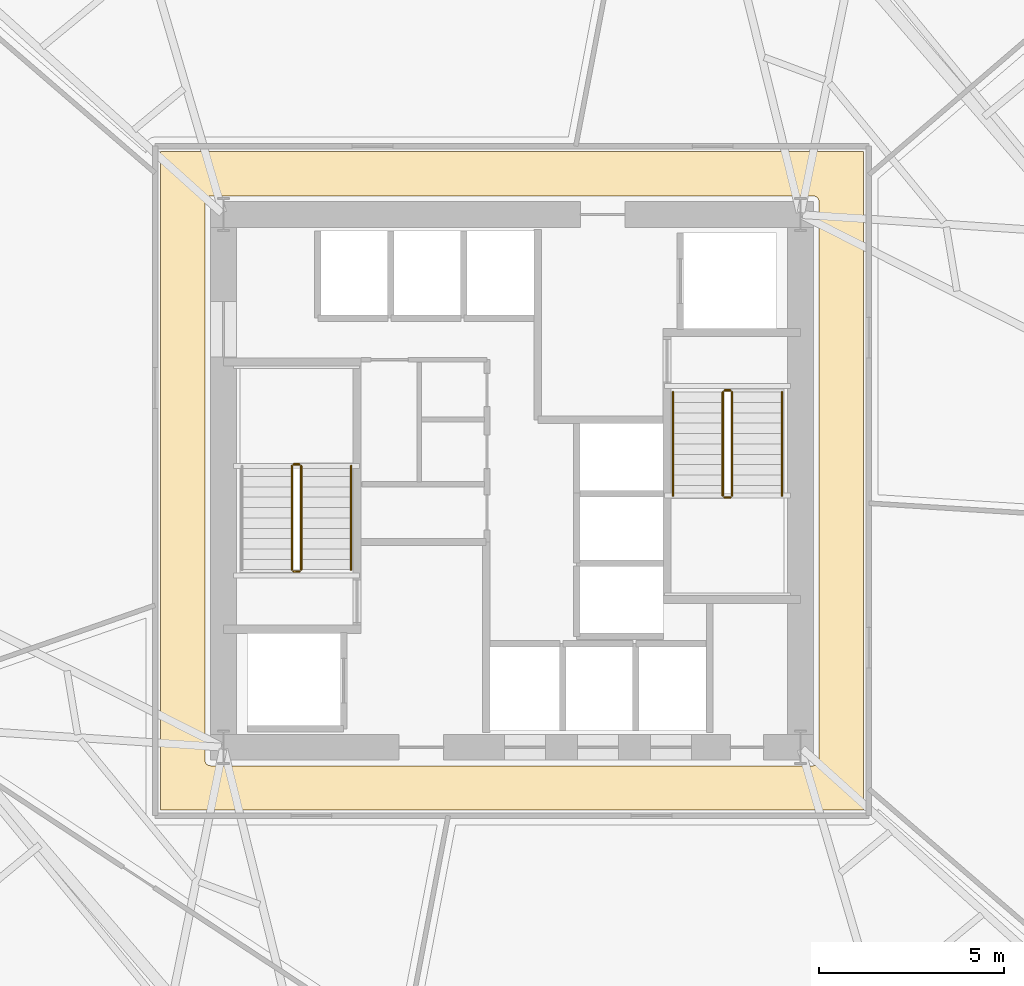
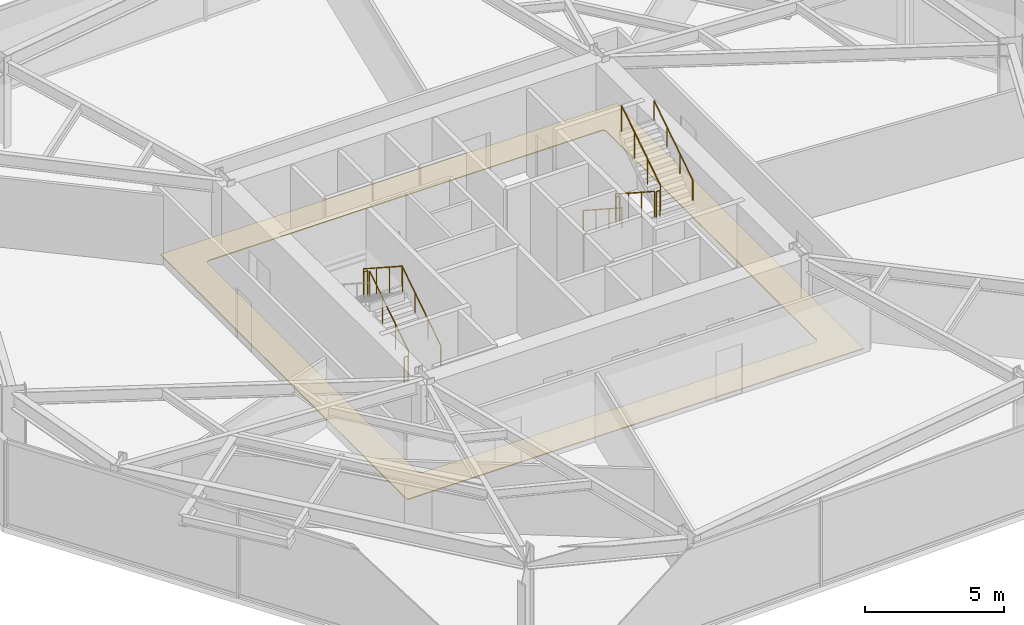
# One storey, part 9 of 10: 11 railings, 1 covering.
"""IFC4 building model written with IfcOpenShell, lengths in metres."""

from ifc_helpers import new_model, si_unit, direction, frame, origin, origin_2d, place, context, subcontext, project, spatial, polyline, circle, outline, extrude, material, layer, layer_set, type_object, element, save


model = new_model("IFC4")

# Units and contexts
model_context = context("Model", 3, precision=1e-05, world=origin(), true_north=direction((0.0, 1.0)))
body_context = subcontext(model_context, "Body", "Model", "MODEL_VIEW")
ifc_project = project(units=[si_unit("LENGTHUNIT", "METRE"), si_unit("AREAUNIT", "SQUARE_METRE"), si_unit("VOLUMEUNIT", "CUBIC_METRE"), si_unit("PLANEANGLEUNIT", "RADIAN"), si_unit("MASSUNIT", "GRAM", prefix="KILO")], contexts=[model_context])

# Site, building, storey
site_placement = place(None, origin())
site = spatial("IfcSite", under=ifc_project, at=site_placement, CompositionType="ELEMENT")
building_placement = place(site_placement, origin())
building = spatial("IfcBuilding", under=site, at=building_placement, Name="Kranzbogen Civic Tower", CompositionType="ELEMENT")
storey_placement = place(building_placement, frame((0.0, 0.0, 28.0)))
storey = spatial("IfcBuildingStorey", under=building, at=storey_placement, Name="L06", CompositionType="ELEMENT", Elevation=28.0)

# Covering
ifc_material_1 = material(Name="Honed Natural Stone Flooring", Category="masonry")
ifc_layer = layer(ifc_material_1, 0.0400390625, Name="Honed Natural Stone Flooring")
ifc_layer_set = layer_set([ifc_layer], Name="Honed Natural Stone Flooring")
covering_type = type_object("IfcCoveringType", Name="Honed Limestone Lobby Flooring 40 mm", PredefinedType="FLOORING", material=ifc_layer_set)
covering_placement = place(storey_placement, origin())
element("IfcCovering", 1, at=covering_placement, inside=storey, type_object=covering_type, Name="L06 concourse stone flooring 1", PredefinedType="FLOORING", context=body_context, shape_type="SweptSolid", body=[
    extrude(outline(polyline([(15.5, 33.89990234375), (34.5, 33.89990234375), (34.5, 16.10009765625), (15.5, 16.10009765625), (15.5, 33.89990234375)]), holes=[polyline([(33.14990234375, 32.699951171875), (33.1650390625, 32.698974609375), (33.178955078125, 32.697021484375), (33.194091796875, 32.694091796875), (33.20703125, 32.68896484375), (33.220947265625, 32.681884765625), (33.23291015625, 32.675048828125), (33.2451171875, 32.666015625), (33.256103515625, 32.656005859375), (33.26611328125, 32.64501953125), (33.27490234375, 32.633056640625), (33.281982421875, 32.62109375), (33.2890625, 32.60693359375), (33.2939453125, 32.593994140625), (33.297119140625, 32.5791015625), (33.299072265625, 32.56494140625), (33.300048828125, 32.550048828125), (33.300048828125, 17.449951171875), (33.299072265625, 17.43505859375), (33.297119140625, 17.4208984375), (33.2939453125, 17.406005859375), (33.2890625, 17.39306640625), (33.281982421875, 17.37890625), (33.27490234375, 17.366943359375), (33.26611328125, 17.35498046875), (33.256103515625, 17.343994140625), (33.2451171875, 17.333984375), (33.23291015625, 17.324951171875), (33.220947265625, 17.318115234375), (33.20703125, 17.31103515625), (33.194091796875, 17.305908203125), (33.178955078125, 17.302978515625), (33.1650390625, 17.301025390625), (33.14990234375, 17.300048828125), (16.85009765625, 17.300048828125), (16.8349609375, 17.301025390625), (16.821044921875, 17.302978515625), (16.805908203125, 17.305908203125), (16.79296875, 17.31103515625), (16.779052734375, 17.318115234375), (16.76708984375, 17.324951171875), (16.7548828125, 17.333984375), (16.743896484375, 17.343994140625), (16.73388671875, 17.35498046875), (16.72509765625, 17.366943359375), (16.718017578125, 17.37890625), (16.7109375, 17.39306640625), (16.7060546875, 17.406005859375), (16.702880859375, 17.4208984375), (16.700927734375, 17.43505859375), (16.699951171875, 17.449951171875), (16.699951171875, 32.550048828125), (16.700927734375, 32.56494140625), (16.702880859375, 32.5791015625), (16.7060546875, 32.593994140625), (16.7109375, 32.60693359375), (16.718017578125, 32.62109375), (16.72509765625, 32.633056640625), (16.73388671875, 32.64501953125), (16.743896484375, 32.656005859375), (16.7548828125, 32.666015625), (16.76708984375, 32.675048828125), (16.779052734375, 32.681884765625), (16.79296875, 32.68896484375), (16.805908203125, 32.694091796875), (16.821044921875, 32.697021484375), (16.8349609375, 32.698974609375), (16.85009765625, 32.699951171875), (33.14990234375, 32.699951171875)])]), origin(), (0.0, 0.0, 1.0), 0.0400390625),
])

# Railings
ifc_material_2 = material(Name="Steel S355", Category="steel")
railing_type_1 = type_object("IfcRailingType", Name="Internal Stair and Void Steel Guardrail 1150", PredefinedType="GUARDRAIL", material=ifc_material_2)
railing_1_placement = place(storey_placement, frame((19.300048828125, 22.60009765625, 0.181884765625)))
element("IfcRailing", 2, at=railing_1_placement, inside=storey, type_object=railing_type_1, Name="L06 ST-T1 stair guard 1", PredefinedType="GUARDRAIL", context=body_context, shape_type="SweptSolid", body=[
    extrude(circle(Radius=0.02392578125, at=origin_2d()), frame((0.0, 0.0, 1.1259765625), z_axis=(0.0, 0.83868413941, 0.544618136222), x_axis=(-1.0, 0.0, 0.0)), (0.0, 0.0, 1.0), 3.33837890625),
    extrude(circle(Radius=0.02099609375, at=origin_2d()), origin(), (0.0, 0.0, 1.0), 1.101806640625),
    extrude(circle(Radius=0.02099609375, at=origin_2d()), frame((0.0, 0.933349609375, 0.60595703125)), (0.0, 0.0, 1.0), 1.101806640625),
    extrude(circle(Radius=0.02099609375, at=origin_2d()), frame((0.0, 1.866455078125, 1.212158203125)), (0.0, 0.0, 1.0), 1.101806640625),
    extrude(circle(Radius=0.02099609375, at=origin_2d()), frame((0.0, 2.7998046875, 1.818115234375)), (0.0, 0.0, 1.0), 1.101806640625),
])
railing_2_placement = place(storey_placement, frame((19.25, 25.449951171875, 2.0)))
element("IfcRailing", 3, at=railing_2_placement, inside=storey, type_object=railing_type_1, Name="L06 ST-T1 stair guard 2", PredefinedType="GUARDRAIL", context=body_context, shape_type="SweptSolid", body=[
    extrude(circle(Radius=0.02392578125, at=origin_2d()), frame((0.0, 0.0, 1.1259765625), z_axis=(-1.0, 0.0, 0.0), x_axis=(0.0, -1.0, 0.0)), (0.0, 0.0, 1.0), 0.14990234375),
    extrude(circle(Radius=0.02099609375, at=origin_2d()), origin(), (0.0, 0.0, 1.0), 1.101806640625),
    extrude(circle(Radius=0.02099609375, at=origin_2d()), frame((-0.14990234375, 0.0, 0.0)), (0.0, 0.0, 1.0), 1.101806640625),
])
railing_3_placement = place(storey_placement, frame((19.050048828125, 25.39990234375, 2.181884765625)))
element("IfcRailing", 4, at=railing_3_placement, inside=storey, type_object=railing_type_1, Name="L06 ST-T1 stair guard 3", PredefinedType="GUARDRAIL", context=body_context, shape_type="SweptSolid", body=[
    extrude(circle(Radius=0.02392578125, at=origin_2d()), frame((0.0, 0.0, 1.1259765625), z_axis=(0.0, -0.83868413941, 0.544618136222), x_axis=(1.0, 0.0, 0.0)), (0.0, 0.0, 1.0), 3.33837890625),
    extrude(circle(Radius=0.02099609375, at=origin_2d()), origin(), (0.0, 0.0, 1.0), 1.101806640625),
    extrude(circle(Radius=0.02099609375, at=origin_2d()), frame((0.0, -0.933349609375, 0.60595703125)), (0.0, 0.0, 1.0), 1.101806640625),
    extrude(circle(Radius=0.02099609375, at=origin_2d()), frame((0.0, -1.866455078125, 1.212158203125)), (0.0, 0.0, 1.0), 1.101806640625),
    extrude(circle(Radius=0.02099609375, at=origin_2d()), frame((0.0, -2.7998046875, 1.818115234375)), (0.0, 0.0, 1.0), 1.101806640625),
])
railing_4_placement = place(storey_placement, frame((19.25, 22.550048828125, 0.0)))
element("IfcRailing", 5, at=railing_4_placement, inside=storey, type_object=railing_type_1, Name="L06 ST-T1 stair guard 4", PredefinedType="GUARDRAIL", context=body_context, shape_type="SweptSolid", body=[
    extrude(circle(Radius=0.02392578125, at=origin_2d()), frame((0.0, 0.0, 1.1259765625), z_axis=(-1.0, 0.0, 0.0), x_axis=(0.0, -1.0, 0.0)), (0.0, 0.0, 1.0), 0.14990234375),
    extrude(circle(Radius=0.02099609375, at=origin_2d()), origin(), (0.0, 0.0, 1.0), 1.101806640625),
    extrude(circle(Radius=0.02099609375, at=origin_2d()), frame((-0.14990234375, 0.0, 0.0)), (0.0, 0.0, 1.0), 1.101806640625),
])
railing_5_placement = place(storey_placement, frame((30.699951171875, 27.39990234375, 0.181884765625)))
element("IfcRailing", 6, at=railing_5_placement, inside=storey, type_object=railing_type_1, Name="L06 ST-T2 stair guard 1", PredefinedType="GUARDRAIL", context=body_context, shape_type="SweptSolid", body=[
    extrude(circle(Radius=0.02392578125, at=origin_2d()), frame((0.0, 0.0, 1.1259765625), z_axis=(0.0, -0.83868413941, 0.544618136222), x_axis=(1.0, 0.0, 0.0)), (0.0, 0.0, 1.0), 3.33837890625),
    extrude(circle(Radius=0.02099609375, at=origin_2d()), origin(), (0.0, 0.0, 1.0), 1.101806640625),
    extrude(circle(Radius=0.02099609375, at=origin_2d()), frame((0.0, -0.933349609375, 0.60595703125)), (0.0, 0.0, 1.0), 1.101806640625),
    extrude(circle(Radius=0.02099609375, at=origin_2d()), frame((0.0, -1.866455078125, 1.212158203125)), (0.0, 0.0, 1.0), 1.101806640625),
    extrude(circle(Radius=0.02099609375, at=origin_2d()), frame((0.0, -2.7998046875, 1.818115234375)), (0.0, 0.0, 1.0), 1.101806640625),
])
railing_6_placement = place(storey_placement, frame((30.75, 24.550048828125, 2.0)))
element("IfcRailing", 7, at=railing_6_placement, inside=storey, type_object=railing_type_1, Name="L06 ST-T2 stair guard 2", PredefinedType="GUARDRAIL", context=body_context, shape_type="SweptSolid", body=[
    extrude(circle(Radius=0.02392578125, at=origin_2d()), frame((0.0, 0.0, 1.1259765625), z_axis=(1.0, 0.0, 0.0), x_axis=(0.0, 1.0, 0.0)), (0.0, 0.0, 1.0), 0.14990234375),
    extrude(circle(Radius=0.02099609375, at=origin_2d()), origin(), (0.0, 0.0, 1.0), 1.101806640625),
    extrude(circle(Radius=0.02099609375, at=origin_2d()), frame((0.14990234375, 0.0, 0.0)), (0.0, 0.0, 1.0), 1.101806640625),
])
railing_7_placement = place(storey_placement, frame((30.949951171875, 24.60009765625, 2.181884765625)))
element("IfcRailing", 8, at=railing_7_placement, inside=storey, type_object=railing_type_1, Name="L06 ST-T2 stair guard 3", PredefinedType="GUARDRAIL", context=body_context, shape_type="SweptSolid", body=[
    extrude(circle(Radius=0.02392578125, at=origin_2d()), frame((0.0, 0.0, 1.1259765625), z_axis=(0.0, 0.83868413941, 0.544618136222), x_axis=(-1.0, 0.0, 0.0)), (0.0, 0.0, 1.0), 3.33837890625),
    extrude(circle(Radius=0.02099609375, at=origin_2d()), origin(), (0.0, 0.0, 1.0), 1.101806640625),
    extrude(circle(Radius=0.02099609375, at=origin_2d()), frame((0.0, 0.933349609375, 0.60595703125)), (0.0, 0.0, 1.0), 1.101806640625),
    extrude(circle(Radius=0.02099609375, at=origin_2d()), frame((0.0, 1.866455078125, 1.212158203125)), (0.0, 0.0, 1.0), 1.101806640625),
    extrude(circle(Radius=0.02099609375, at=origin_2d()), frame((0.0, 2.7998046875, 1.818115234375)), (0.0, 0.0, 1.0), 1.101806640625),
])
railing_8_placement = place(storey_placement, frame((30.75, 27.449951171875, 0.0)))
element("IfcRailing", 9, at=railing_8_placement, inside=storey, type_object=railing_type_1, Name="L06 ST-T2 stair guard 4", PredefinedType="GUARDRAIL", context=body_context, shape_type="SweptSolid", body=[
    extrude(circle(Radius=0.02392578125, at=origin_2d()), frame((0.0, 0.0, 1.1259765625), z_axis=(1.0, 0.0, 0.0), x_axis=(0.0, 1.0, 0.0)), (0.0, 0.0, 1.0), 0.14990234375),
    extrude(circle(Radius=0.02099609375, at=origin_2d()), origin(), (0.0, 0.0, 1.0), 1.101806640625),
    extrude(circle(Radius=0.02099609375, at=origin_2d()), frame((0.14990234375, 0.0, 0.0)), (0.0, 0.0, 1.0), 1.101806640625),
])
ifc_material_3 = material(Name="Pale Anodised Aluminium", Category="aluminium")
railing_type_2 = type_object("IfcRailingType", Name="Tubular Stainless Stair Wall Handrail 900", PredefinedType="HANDRAIL", material=ifc_material_3)
railing_9_placement = place(storey_placement, frame((20.64990234375, 22.60009765625, 0.181884765625)))
element("IfcRailing", 10, at=railing_9_placement, inside=storey, type_object=railing_type_2, Name="L06 ST-T1 stair handrail 1", PredefinedType="HANDRAIL", context=body_context, shape_type="SweptSolid", body=[
    extrude(circle(Radius=0.02392578125, at=origin_2d()), frame((0.0, 0.0, 0.8759765625), z_axis=(0.0, 0.83868413941, 0.544618136222), x_axis=(-1.0, 0.0, 0.0)), (0.0, 0.0, 1.0), 3.33837890625),
    extrude(circle(Radius=0.02099609375, at=origin_2d()), origin(), (0.0, 0.0, 1.0), 0.851806640625),
    extrude(circle(Radius=0.02099609375, at=origin_2d()), frame((0.0, 0.933349609375, 0.60595703125)), (0.0, 0.0, 1.0), 0.851806640625),
    extrude(circle(Radius=0.02099609375, at=origin_2d()), frame((0.0, 1.866455078125, 1.212158203125)), (0.0, 0.0, 1.0), 0.851806640625),
    extrude(circle(Radius=0.02099609375, at=origin_2d()), frame((0.0, 2.7998046875, 1.818115234375)), (0.0, 0.0, 1.0), 0.851806640625),
])
railing_10_placement = place(storey_placement, frame((29.35009765625, 27.39990234375, 0.181884765625)))
element("IfcRailing", 11, at=railing_10_placement, inside=storey, type_object=railing_type_2, Name="L06 ST-T2 stair handrail 1", PredefinedType="HANDRAIL", context=body_context, shape_type="SweptSolid", body=[
    extrude(circle(Radius=0.02392578125, at=origin_2d()), frame((0.0, 0.0, 0.8759765625), z_axis=(0.0, -0.83868413941, 0.544618136222), x_axis=(1.0, 0.0, 0.0)), (0.0, 0.0, 1.0), 3.33837890625),
    extrude(circle(Radius=0.02099609375, at=origin_2d()), origin(), (0.0, 0.0, 1.0), 0.851806640625),
    extrude(circle(Radius=0.02099609375, at=origin_2d()), frame((0.0, -0.933349609375, 0.60595703125)), (0.0, 0.0, 1.0), 0.851806640625),
    extrude(circle(Radius=0.02099609375, at=origin_2d()), frame((0.0, -1.866455078125, 1.212158203125)), (0.0, 0.0, 1.0), 0.851806640625),
    extrude(circle(Radius=0.02099609375, at=origin_2d()), frame((0.0, -2.7998046875, 1.818115234375)), (0.0, 0.0, 1.0), 0.851806640625),
])
railing_11_placement = place(storey_placement, frame((32.300048828125, 24.60009765625, 2.181884765625)))
element("IfcRailing", 12, at=railing_11_placement, inside=storey, type_object=railing_type_2, Name="L06 ST-T2 stair handrail 2", PredefinedType="HANDRAIL", context=body_context, shape_type="SweptSolid", body=[
    extrude(circle(Radius=0.02392578125, at=origin_2d()), frame((0.0, 0.0, 0.8759765625), z_axis=(0.0, 0.83868413941, 0.544618136222), x_axis=(-1.0, 0.0, 0.0)), (0.0, 0.0, 1.0), 3.33837890625),
    extrude(circle(Radius=0.02099609375, at=origin_2d()), origin(), (0.0, 0.0, 1.0), 0.851806640625),
    extrude(circle(Radius=0.02099609375, at=origin_2d()), frame((0.0, 0.933349609375, 0.60595703125)), (0.0, 0.0, 1.0), 0.851806640625),
    extrude(circle(Radius=0.02099609375, at=origin_2d()), frame((0.0, 1.866455078125, 1.212158203125)), (0.0, 0.0, 1.0), 0.851806640625),
    extrude(circle(Radius=0.02099609375, at=origin_2d()), frame((0.0, 2.7998046875, 1.818115234375)), (0.0, 0.0, 1.0), 0.851806640625),
])

save(model, "model.ifc")
